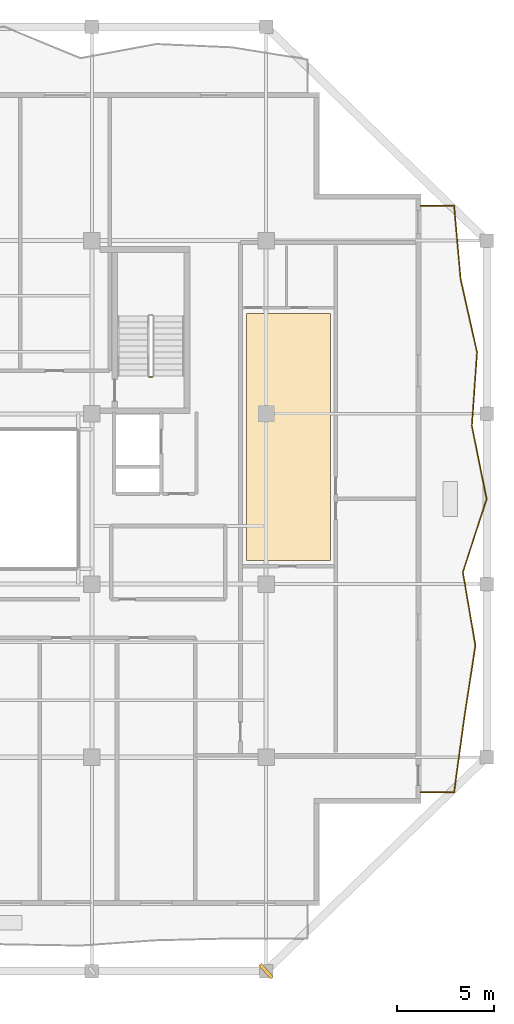
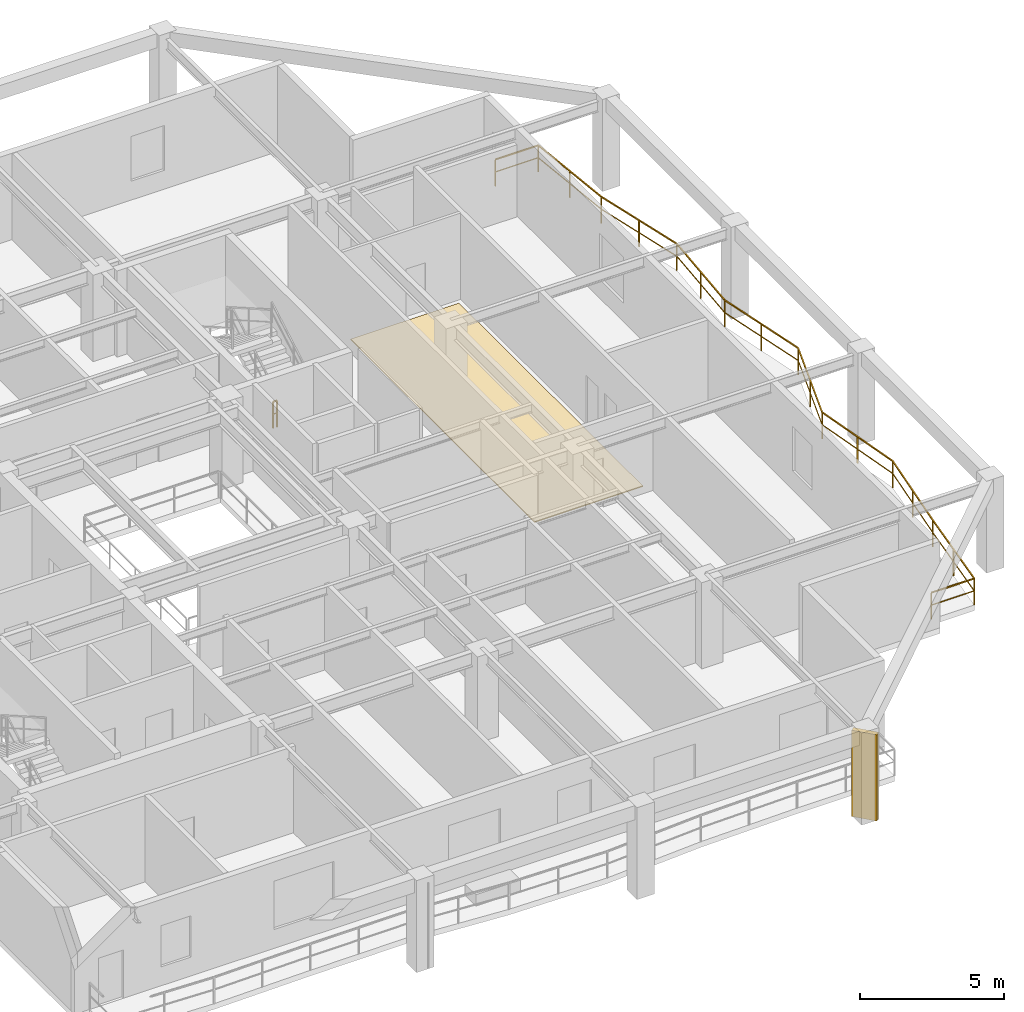
# One storey, part 9 of 11: 2 railings, 1 covering, 1 shading device.
"""IFC4 building model written with IfcOpenShell, lengths in metres."""

from ifc_helpers import new_model, si_unit, direction, frame, origin, origin_2d, place, context, subcontext, project, spatial, polyline, rectangle, outline, extrude, material, layer, layer_set, type_object, element, save


model = new_model("IFC4")

# Units and contexts
model_context = context("Model", 3, precision=1e-05, world=origin(), true_north=direction((0.0, 1.0)))
body_context = subcontext(model_context, "Body", "Model", "MODEL_VIEW")
ifc_project = project(units=[si_unit("LENGTHUNIT", "METRE"), si_unit("AREAUNIT", "SQUARE_METRE"), si_unit("VOLUMEUNIT", "CUBIC_METRE"), si_unit("PLANEANGLEUNIT", "RADIAN"), si_unit("MASSUNIT", "GRAM", prefix="KILO")], contexts=[model_context])

# Site, building, storey
site_placement = place(None, origin())
site = spatial("IfcSite", under=ifc_project, at=site_placement, CompositionType="ELEMENT")
building_placement = place(site_placement, origin())
building = spatial("IfcBuilding", under=site, at=building_placement, Name="Kundavana Baori Tower", CompositionType="ELEMENT")
storey_placement = place(building_placement, frame((0.0, 0.0, 264.800048828125)))
storey = spatial("IfcBuildingStorey", under=building, at=storey_placement, Name="L65", CompositionType="ELEMENT", Elevation=264.800048828125)

# Covering
ifc_material_1 = material(Name="Honed Kota Stone and Terrazzo Flooring", Category="masonry")
ifc_layer = layer(ifc_material_1, 0.0400390625, Name="COV-FLR-TERR-40")
ifc_layer_set = layer_set([ifc_layer], Name="Honed Kota Stone and Terrazzo Flooring")
covering_type = type_object("IfcCoveringType", Name="COV-FLR-TERR-40", PredefinedType="FLOORING", material=ifc_layer_set)
covering_placement = place(storey_placement, origin())
element("IfcCovering", 1, at=covering_placement, inside=storey, type_object=covering_type, Name="L65 Room Finished Stone Flooring 4", PredefinedType="FLOORING", context=body_context, shape_type="SweptSolid", body=[
    extrude(outline(polyline([(41.780029296875, 25.409912109375), (46.1298828125, 25.409912109375), (46.1298828125, 38.18994140625), (41.780029296875, 38.18994140625), (41.780029296875, 25.409912109375)])), origin(), (0.0, 0.0, 1.0), 0.0400390625),
])

# Railings
ifc_material_2 = material(Name="Architectural Patinated Bronze Metalwork")
railing_type_1 = type_object("IfcRailingType", Name="RL-BAL-1150", PredefinedType="BALUSTRADE", material=ifc_material_2)
railing_1_placement = place(storey_placement, frame((50.800048828125, 43.75, 0.0)))
element("IfcRailing", 2, at=railing_1_placement, inside=storey, type_object=railing_type_1, Name="L65 Loggia Balcony Balustrade E", PredefinedType="BALUSTRADE", context=body_context, shape_type="SweptSolid", body=[
    extrude(rectangle(XDim=0.048095703125, YDim=0.048095703125, at=origin_2d()), frame((0.0, 0.0, 1.1259765625), z_axis=(1.0, 0.0, 0.0), x_axis=(0.0, 1.0, 0.0)), (0.0, 0.0, 1.0), 1.719970703125),
    extrude(rectangle(XDim=0.03125, YDim=0.03125, at=origin_2d()), frame((0.0, 0.0, 0.597900390625), z_axis=(1.0, 0.0, 0.0), x_axis=(0.0, 1.0, 0.0)), (0.0, 0.0, 1.0), 1.719970703125),
    extrude(rectangle(XDim=0.048095703125, YDim=0.048095703125, at=origin_2d()), frame((1.719970703125, 0.0, 1.1259765625), z_axis=(0.088845505255, -0.996045418742, 0.0), x_axis=(0.996045418742, 0.088845505255, 0.0)), (0.0, 0.0, 1.0), 3.80322265625),
    extrude(rectangle(XDim=0.03125, YDim=0.03125, at=origin_2d()), frame((1.719970703125, 0.0, 0.597900390625), z_axis=(0.088845505255, -0.996045418742, 0.0), x_axis=(0.996045418742, 0.088845505255, 0.0)), (0.0, 0.0, 1.0), 3.80322265625),
    extrude(rectangle(XDim=0.048095703125, YDim=0.048095703125, at=origin_2d()), frame((2.057861328125, -3.7880859375, 1.1259765625), z_axis=(0.218795108321, -0.975770823798, 0.0), x_axis=(0.975770823798, 0.218795108321, 0.0)), (0.0, 0.0, 1.0), 3.880859375),
    extrude(rectangle(XDim=0.03125, YDim=0.03125, at=origin_2d()), frame((2.057861328125, -3.7880859375, 0.597900390625), z_axis=(0.218795108321, -0.975770823798, 0.0), x_axis=(0.975770823798, 0.218795108321, 0.0)), (0.0, 0.0, 1.0), 3.880859375),
    extrude(rectangle(XDim=0.048095703125, YDim=0.048095703125, at=origin_2d()), frame((2.906982421875, -7.574951171875, 1.1259765625), z_axis=(-0.070351300401, -0.997522277712, 0.0), x_axis=(0.997522277712, -0.070351300401, 0.0)), (0.0, 0.0, 1.0), 3.796630859375),
    extrude(rectangle(XDim=0.03125, YDim=0.03125, at=origin_2d()), frame((2.906982421875, -7.574951171875, 0.597900390625), z_axis=(-0.070351300401, -0.997522277712, 0.0), x_axis=(0.997522277712, -0.070351300401, 0.0)), (0.0, 0.0, 1.0), 3.796630859375),
    extrude(rectangle(XDim=0.048095703125, YDim=0.048095703125, at=origin_2d()), frame((2.639892578125, -11.362060546875, 1.1259765625), z_axis=(0.19672373461, -0.980458959998, 0.0), x_axis=(0.980458959998, 0.19672373461, 0.0)), (0.0, 0.0, 1.0), 3.86328125),
    extrude(rectangle(XDim=0.03125, YDim=0.03125, at=origin_2d()), frame((2.639892578125, -11.362060546875, 0.597900390625), z_axis=(0.19672373461, -0.980458959998, 0.0), x_axis=(0.980458959998, 0.19672373461, 0.0)), (0.0, 0.0, 1.0), 3.86328125),
    extrude(rectangle(XDim=0.048095703125, YDim=0.048095703125, at=origin_2d()), frame((3.39990234375, -15.14990234375, 1.1259765625), z_axis=(-0.307660273165, -0.95149627236, 0.0), x_axis=(0.95149627236, -0.307660273165, 0.0)), (0.0, 0.0, 1.0), 3.981201171875),
    extrude(rectangle(XDim=0.03125, YDim=0.03125, at=origin_2d()), frame((3.39990234375, -15.14990234375, 0.597900390625), z_axis=(-0.307660273165, -0.95149627236, 0.0), x_axis=(0.95149627236, -0.307660273165, 0.0)), (0.0, 0.0, 1.0), 3.981201171875),
    extrude(rectangle(XDim=0.048095703125, YDim=0.048095703125, at=origin_2d()), frame((2.175048828125, -18.93798828125, 1.1259765625), z_axis=(0.16839585765, -0.985719450516, 0.0), x_axis=(0.985719450516, 0.16839585765, 0.0)), (0.0, 0.0, 1.0), 3.842041015625),
    extrude(rectangle(XDim=0.03125, YDim=0.03125, at=origin_2d()), frame((2.175048828125, -18.93798828125, 0.597900390625), z_axis=(0.16839585765, -0.985719450516, 0.0), x_axis=(0.985719450516, 0.16839585765, 0.0)), (0.0, 0.0, 1.0), 3.842041015625),
    extrude(rectangle(XDim=0.048095703125, YDim=0.048095703125, at=origin_2d()), frame((2.822021484375, -22.72509765625, 1.1259765625), z_axis=(-0.151913531628, -0.988393787368, 0.0), x_axis=(0.988393787368, -0.151913531628, 0.0)), (0.0, 0.0, 1.0), 3.831298828125),
    extrude(rectangle(XDim=0.03125, YDim=0.03125, at=origin_2d()), frame((2.822021484375, -22.72509765625, 0.597900390625), z_axis=(-0.151913531628, -0.988393787368, 0.0), x_axis=(0.988393787368, -0.151913531628, 0.0)), (0.0, 0.0, 1.0), 3.831298828125),
    extrude(rectangle(XDim=0.048095703125, YDim=0.048095703125, at=origin_2d()), frame((2.239990234375, -26.511962890625, 1.1259765625), z_axis=(-0.136002139567, -0.990708543434, 0.0), x_axis=(0.990708543434, -0.136002139567, 0.0)), (0.0, 0.0, 1.0), 3.82373046875),
    extrude(rectangle(XDim=0.03125, YDim=0.03125, at=origin_2d()), frame((2.239990234375, -26.511962890625, 0.597900390625), z_axis=(-0.136002139567, -0.990708543434, 0.0), x_axis=(0.990708543434, -0.136002139567, 0.0)), (0.0, 0.0, 1.0), 3.82373046875),
    extrude(rectangle(XDim=0.048095703125, YDim=0.048095703125, at=origin_2d()), frame((1.719970703125, -30.300048828125, 1.1259765625), z_axis=(-1.0, 0.0, 0.0), x_axis=(0.0, -1.0, 0.0)), (0.0, 0.0, 1.0), 1.719970703125),
    extrude(rectangle(XDim=0.03125, YDim=0.03125, at=origin_2d()), frame((1.719970703125, -30.300048828125, 0.597900390625), z_axis=(-1.0, 0.0, 0.0), x_axis=(0.0, -1.0, 0.0)), (0.0, 0.0, 1.0), 1.719970703125),
    extrude(rectangle(XDim=0.0419921875, YDim=0.0419921875, at=origin_2d()), origin(), (0.0, 0.0, 1.0), 1.101806640625),
    extrude(rectangle(XDim=0.0419921875, YDim=0.0419921875, at=origin_2d()), frame((1.719970703125, 0.0, 0.0)), (0.0, 0.0, 1.0), 1.101806640625),
    extrude(rectangle(XDim=0.0419921875, YDim=0.0419921875, at=origin_2d()), frame((1.888916015625, -1.89404296875, 0.0)), (0.0, 0.0, 1.0), 1.101806640625),
    extrude(rectangle(XDim=0.0419921875, YDim=0.0419921875, at=origin_2d()), frame((2.057861328125, -3.7880859375, 0.0)), (0.0, 0.0, 1.0), 1.101806640625),
    extrude(rectangle(XDim=0.0419921875, YDim=0.0419921875, at=origin_2d()), frame((2.482421875, -5.681640625, 0.0)), (0.0, 0.0, 1.0), 1.101806640625),
    extrude(rectangle(XDim=0.0419921875, YDim=0.0419921875, at=origin_2d()), frame((2.906982421875, -7.574951171875, 0.0)), (0.0, 0.0, 1.0), 1.101806640625),
    extrude(rectangle(XDim=0.0419921875, YDim=0.0419921875, at=origin_2d()), frame((2.7734375, -9.468505859375, 0.0)), (0.0, 0.0, 1.0), 1.101806640625),
    extrude(rectangle(XDim=0.0419921875, YDim=0.0419921875, at=origin_2d()), frame((2.639892578125, -11.362060546875, 0.0)), (0.0, 0.0, 1.0), 1.101806640625),
    extrude(rectangle(XDim=0.0419921875, YDim=0.0419921875, at=origin_2d()), frame((3.02001953125, -13.255859375, 0.0)), (0.0, 0.0, 1.0), 1.101806640625),
    extrude(rectangle(XDim=0.0419921875, YDim=0.0419921875, at=origin_2d()), frame((3.39990234375, -15.14990234375, 0.0)), (0.0, 0.0, 1.0), 1.101806640625),
    extrude(rectangle(XDim=0.0419921875, YDim=0.0419921875, at=origin_2d()), frame((2.78759765625, -17.0439453125, 0.0)), (0.0, 0.0, 1.0), 1.101806640625),
    extrude(rectangle(XDim=0.0419921875, YDim=0.0419921875, at=origin_2d()), frame((2.175048828125, -18.93798828125, 0.0)), (0.0, 0.0, 1.0), 1.101806640625),
    extrude(rectangle(XDim=0.0419921875, YDim=0.0419921875, at=origin_2d()), frame((2.49853515625, -20.83154296875, 0.0)), (0.0, 0.0, 1.0), 1.101806640625),
    extrude(rectangle(XDim=0.0419921875, YDim=0.0419921875, at=origin_2d()), frame((2.822021484375, -22.72509765625, 0.0)), (0.0, 0.0, 1.0), 1.101806640625),
    extrude(rectangle(XDim=0.0419921875, YDim=0.0419921875, at=origin_2d()), frame((2.531005859375, -24.61865234375, 0.0)), (0.0, 0.0, 1.0), 1.101806640625),
    extrude(rectangle(XDim=0.0419921875, YDim=0.0419921875, at=origin_2d()), frame((2.239990234375, -26.511962890625, 0.0)), (0.0, 0.0, 1.0), 1.101806640625),
    extrude(rectangle(XDim=0.0419921875, YDim=0.0419921875, at=origin_2d()), frame((1.97998046875, -28.406005859375, 0.0)), (0.0, 0.0, 1.0), 1.101806640625),
    extrude(rectangle(XDim=0.0419921875, YDim=0.0419921875, at=origin_2d()), frame((1.719970703125, -30.300048828125, 0.0)), (0.0, 0.0, 1.0), 1.101806640625),
    extrude(rectangle(XDim=0.0419921875, YDim=0.0419921875, at=origin_2d()), frame((0.0, -30.300048828125, 0.0)), (0.0, 0.0, 1.0), 1.101806640625),
])
ifc_material_3 = material(Name="Architectural Patinated Bronze Metalwork")
railing_type_2 = type_object("IfcRailingType", Name="RL-GRD-1150", PredefinedType="GUARDRAIL", material=ifc_material_3)
railing_2_placement = place(storey_placement, frame((36.929931640625, 34.89990234375, 0.0)))
element("IfcRailing", 3, at=railing_2_placement, inside=storey, type_object=railing_type_2, Name="L65 ST3 stair guard 4", PredefinedType="GUARDRAIL", context=body_context, shape_type="SweptSolid", body=[
    extrude(rectangle(XDim=0.048095703125, YDim=0.048095703125, at=origin_2d()), frame((0.0, 0.0, 1.1259765625), z_axis=(-1.0, 0.0, 0.0), x_axis=(0.0, -1.0, 0.0)), (0.0, 0.0, 1.0), 0.159912109375),
    extrude(rectangle(XDim=0.03125, YDim=0.03125, at=origin_2d()), frame((0.0, 0.0, 0.597900390625), z_axis=(-1.0, 0.0, 0.0), x_axis=(0.0, -1.0, 0.0)), (0.0, 0.0, 1.0), 0.159912109375),
    extrude(rectangle(XDim=0.0419921875, YDim=0.0419921875, at=origin_2d()), origin(), (0.0, 0.0, 1.0), 1.101806640625),
    extrude(rectangle(XDim=0.0419921875, YDim=0.0419921875, at=origin_2d()), frame((-0.159912109375, 0.0, 0.0)), (0.0, 0.0, 1.0), 1.101806640625),
])

# Shading device
ifc_material_4 = material(Name="Red-Buff Dholpur Sandstone Cladding on Concrete C40/50", Category="masonry")
shading_device_type = type_object("IfcShadingDeviceType", Name="SHD-FIN-920", PredefinedType="JALOUSIE", material=ifc_material_4)
shading_device_placement = place(storey_placement, frame((42.800048828125, 4.199951171875, 0.0), z_axis=(0.0, 0.0, 1.0), x_axis=(0.74326159948, 0.669000892928, 0.0)))
element("IfcShadingDevice", 4, at=shading_device_placement, inside=storey, type_object=shading_device_type, Name="L65 Sweeping Dholpur Sandstone Facade Fin 4", PredefinedType="JALOUSIE", context=body_context, shape_type="SweptSolid", body=[
    extrude(rectangle(XDim=0.179931640625, YDim=0.919921875, at=origin_2d()), origin(), (0.0, 0.0, 1.0), 3.659912109375),
])

save(model, "model.ifc")
